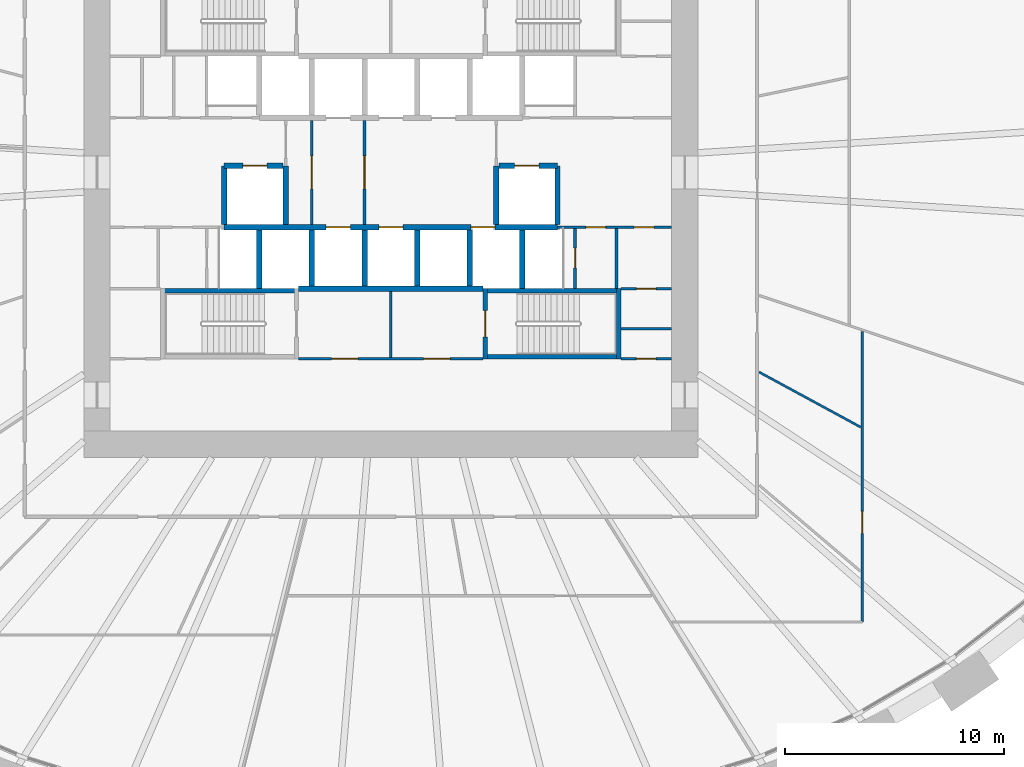
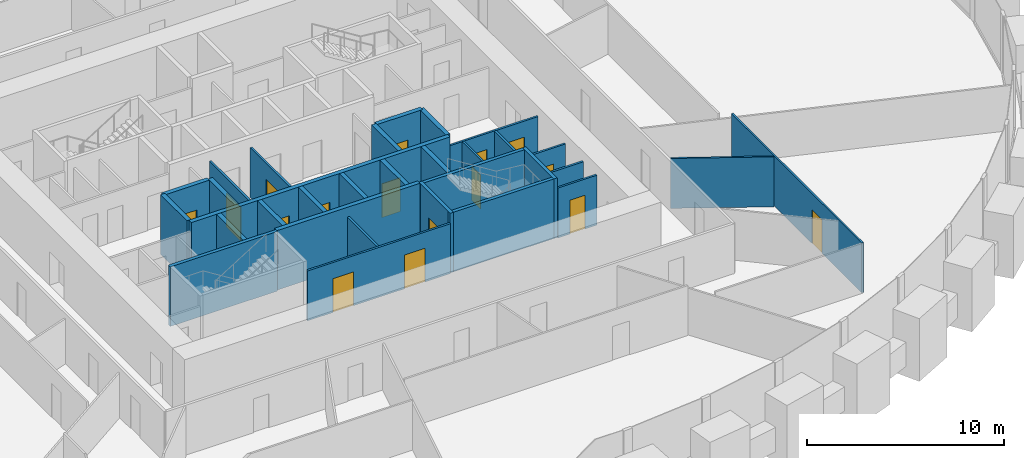
# One storey, part 7 of 11: 31 walls, 16 doors, 16 openings.
"""IFC4 building model written with IfcOpenShell, lengths in metres."""

from ifc_helpers import new_model, si_unit, direction, frame, frame_2d, origin, place, context, subcontext, project, spatial, rectangle, extrude, source, transform, mapped, material, layer, layer_set, type_object, element, fill, save


model = new_model("IFC4")

# Units and contexts
model_context = context("Model", 3, precision=1e-05, world=origin(), true_north=direction((0.0, 1.0)))
body_context = subcontext(model_context, "Body", "Model", "MODEL_VIEW")
ifc_project = project(units=[si_unit("LENGTHUNIT", "METRE"), si_unit("AREAUNIT", "SQUARE_METRE"), si_unit("VOLUMEUNIT", "CUBIC_METRE"), si_unit("PLANEANGLEUNIT", "RADIAN"), si_unit("MASSUNIT", "GRAM", prefix="KILO")], contexts=[model_context])

# Site, building, storey
site_placement = place(None, origin())
site = spatial("IfcSite", under=ifc_project, at=site_placement, CompositionType="ELEMENT")
building_placement = place(site_placement, origin())
building = spatial("IfcBuilding", under=site, at=building_placement, Name="Embergate Tower", CompositionType="ELEMENT")
storey_placement = place(building_placement, frame((0.0, 0.0, 41.89990234375)))
storey = spatial("IfcBuildingStorey", under=building, at=storey_placement, Name="L06", CompositionType="ELEMENT", Elevation=41.89990234375)

# Wall, opening, door
ifc_material_1 = material(Name="Core partition blockwork 120")
ifc_layer_1 = layer(ifc_material_1, 0.1201171875)
ifc_layer_set_1 = layer_set([ifc_layer_1], Name="Core partition blockwork 120")
wall_type_1 = type_object("IfcWallType", Name="Core partition blockwork 120", PredefinedType="PARTITIONING", material=ifc_layer_set_1)
shared_shape_1 = source(origin(), body_context, "Body", "SweptSolid", [
    extrude(rectangle(XDim=2.739990234375, YDim=0.1201171875, at=frame_2d((1.3701171875, 0.0))), origin(), (0.0, 0.0, 1.0), 3.10009765625),
])
wall_1_placement = place(storey_placement, frame((8.39990234375, -5.300048828125, 0.0), z_axis=(0.0, 0.0, 1.0), x_axis=(0.0, 1.0, 0.0)))
wall_1 = element("IfcWall", 1, at=wall_1_placement, inside=storey, type_object=wall_type_1, Name="IP-3 wall", PredefinedType="PARTITIONING", context=body_context, shape_type="MappedRepresentation", body=[
    mapped(shared_shape_1, transform((0.0, 0.0, 0.0))),
])
shared_shape_2 = source(origin(), body_context, "Body", "SweptSolid", [
    extrude(rectangle(XDim=0.89990234375, YDim=2.10009765625, at=frame_2d((0.449951171875, 1.050048828125))), frame((0.0, 0.070068359375, 0.0), z_axis=(0.0, -1.0, 0.0), x_axis=(1.0, 0.0, 0.0)), (0.0, 0.0, 1.0), 0.14013671875),
])
opening_1_placement = place(wall_1_placement, frame((0.949951171875, 0.0, 0.0)))
opening_1 = element("IfcOpeningElement", 2, at=opening_1_placement, cuts=wall_1, Name="Opening ID-1", PredefinedType="OPENING", context=body_context, shape_type="MappedRepresentation", body=[
    mapped(shared_shape_2, transform((0.0, 0.0, 0.0))),
])
ifc_material_2 = material(Name="Interior door 900")
door_type_1 = type_object("IfcDoorType", Name="Interior door 900", OperationType="SINGLE_SWING_LEFT", PredefinedType="DOOR", material=ifc_material_2)
shared_shape_3 = source(origin(), body_context, "Body", "SweptSolid", [
    extrude(rectangle(XDim=0.89990234375, YDim=2.10009765625, at=frame_2d((0.449951171875, 1.050048828125))), frame((0.0, 0.02490234375, 0.0), z_axis=(0.0, -1.0, 0.0), x_axis=(1.0, 0.0, 0.0)), (0.0, 0.0, 1.0), 0.050048828125),
])
door_1_placement = place(opening_1_placement, origin())
door_1 = element("IfcDoor", 3, at=door_1_placement, inside=storey, type_object=door_type_1, Name="ID-1 door", OperationType="SINGLE_SWING_RIGHT", OverallHeight=2.10009765625, OverallWidth=0.89990234375, PredefinedType="DOOR", context=body_context, shape_type="MappedRepresentation", body=[
    mapped(shared_shape_3, transform((0.0, 0.0, 0.0))),
])
fill(opening_1, door_1)

# Wall
wall_2_placement = place(storey_placement, frame((10.2919921875, -5.300048828125, 0.0), z_axis=(0.0, 0.0, 1.0), x_axis=(0.0, 1.0, 0.0)))
element("IfcWall", 4, at=wall_2_placement, inside=storey, type_object=wall_type_1, Name="IP-3 wall", PredefinedType="PARTITIONING", context=body_context, shape_type="MappedRepresentation", body=[
    mapped(shared_shape_1, transform((0.0, 0.0, 0.0))),
])

# Wall, openings, doors
shared_shape_4 = source(origin(), body_context, "Body", "SweptSolid", [
    extrude(rectangle(XDim=5.199951171875, YDim=0.1201171875, at=frame_2d((2.60009765625, 0.0))), origin(), (0.0, 0.0, 1.0), 3.10009765625),
])
wall_3_placement = place(storey_placement, frame((12.800048828125, -2.5, 0.0), z_axis=(0.0, 0.0, 1.0), x_axis=(-1.0, 0.0, 0.0)))
wall_3 = element("IfcWall", 5, at=wall_3_placement, inside=storey, type_object=wall_type_1, Name="IP-3 wall", PredefinedType="PARTITIONING", context=body_context, shape_type="MappedRepresentation", body=[
    mapped(shared_shape_4, transform((0.0, 0.0, 0.0))),
])
opening_2_placement = place(wall_3_placement, frame((3.00390625, 0.0, 0.0)))
opening_2 = element("IfcOpeningElement", 6, at=opening_2_placement, cuts=wall_3, Name="Opening ID-1", PredefinedType="OPENING", context=body_context, shape_type="MappedRepresentation", body=[
    mapped(shared_shape_2, transform((0.0, 0.0, 0.0))),
])
opening_3_placement = place(wall_3_placement, frame((0.803955078125, 0.0, 0.0)))
opening_3 = element("IfcOpeningElement", 7, at=opening_3_placement, cuts=wall_3, Name="Opening ID-1", PredefinedType="OPENING", context=body_context, shape_type="MappedRepresentation", body=[
    mapped(shared_shape_2, transform((0.0, 0.0, 0.0))),
])
door_2_placement = place(opening_2_placement, origin())
door_2 = element("IfcDoor", 8, at=door_2_placement, inside=storey, type_object=door_type_1, Name="ID-1 door", OperationType="SINGLE_SWING_RIGHT", OverallHeight=2.10009765625, OverallWidth=0.89990234375, PredefinedType="DOOR", context=body_context, shape_type="MappedRepresentation", body=[
    mapped(shared_shape_3, transform((0.0, 0.0, 0.0))),
])
fill(opening_2, door_2)
door_3_placement = place(opening_3_placement, origin())
door_3 = element("IfcDoor", 9, at=door_3_placement, inside=storey, type_object=door_type_1, Name="ID-1 door", OperationType="SINGLE_SWING_RIGHT", OverallHeight=2.10009765625, OverallWidth=0.89990234375, PredefinedType="DOOR", context=body_context, shape_type="MappedRepresentation", body=[
    mapped(shared_shape_3, transform((0.0, 0.0, 0.0))),
])
fill(opening_3, door_3)

# Wall, opening, door
shared_shape_5 = source(origin(), body_context, "Body", "SweptSolid", [
    extrude(rectangle(XDim=4.75, YDim=0.1201171875, at=frame_2d((2.375, 0.0))), origin(), (0.0, 0.0, 1.0), 3.10009765625),
])
wall_4_placement = place(storey_placement, frame((-3.60009765625, -2.375, 0.0), z_axis=(0.0, 0.0, 1.0), x_axis=(0.0, 1.0, 0.0)))
wall_4 = element("IfcWall", 10, at=wall_4_placement, inside=storey, type_object=wall_type_1, Name="IP-3 wall", PredefinedType="PARTITIONING", context=body_context, shape_type="MappedRepresentation", body=[
    mapped(shared_shape_5, transform((0.0, 0.0, 0.0))),
])
shared_shape_6 = source(origin(), body_context, "Body", "SweptSolid", [
    extrude(rectangle(XDim=1.5, YDim=2.10009765625, at=frame_2d((0.75, 1.050048828125))), frame((0.0, 0.070068359375, 0.0), z_axis=(0.0, -1.0, 0.0), x_axis=(1.0, 0.0, 0.0)), (0.0, 0.0, 1.0), 0.14013671875),
])
opening_4_placement = place(wall_4_placement, frame((1.625, 0.0, 0.0)))
opening_4 = element("IfcOpeningElement", 11, at=opening_4_placement, cuts=wall_4, Name="Opening IF-3", PredefinedType="OPENING", context=body_context, shape_type="MappedRepresentation", body=[
    mapped(shared_shape_6, transform((0.0, 0.0, 0.0))),
])
ifc_material_3 = material(Name="Lobby fire door pair 1500")
door_type_2 = type_object("IfcDoorType", Name="Lobby fire door pair 1500", OperationType="DOUBLE_DOOR_SINGLE_SWING", PredefinedType="DOOR", material=ifc_material_3)
shared_shape_7 = source(origin(), body_context, "Body", "SweptSolid", [
    extrude(rectangle(XDim=1.5, YDim=2.10009765625, at=frame_2d((0.75, 1.050048828125))), frame((0.0, 0.02490234375, 0.0), z_axis=(0.0, -1.0, 0.0), x_axis=(1.0, 0.0, 0.0)), (0.0, 0.0, 1.0), 0.050048828125),
])
door_4_placement = place(opening_4_placement, origin())
door_4 = element("IfcDoor", 12, at=door_4_placement, inside=storey, type_object=door_type_2, Name="IF-3 door", OperationType="DOUBLE_DOOR_SINGLE_SWING", OverallHeight=2.10009765625, OverallWidth=1.5, PredefinedType="DOOR", context=body_context, shape_type="MappedRepresentation", body=[
    mapped(shared_shape_7, transform((0.0, 0.0, 0.0))),
])
fill(opening_4, door_4)

wall_5_placement = place(storey_placement, frame((-1.199951171875, -2.375, 0.0), z_axis=(0.0, 0.0, 1.0), x_axis=(0.0, 1.0, 0.0)))
wall_5 = element("IfcWall", 13, at=wall_5_placement, inside=storey, type_object=wall_type_1, Name="IP-3 wall", PredefinedType="PARTITIONING", context=body_context, shape_type="MappedRepresentation", body=[
    mapped(shared_shape_5, transform((0.0, 0.0, 0.0))),
])
opening_5_placement = place(wall_5_placement, frame((1.625, 0.0, 0.0)))
opening_5 = element("IfcOpeningElement", 14, at=opening_5_placement, cuts=wall_5, Name="Opening IF-3", PredefinedType="OPENING", context=body_context, shape_type="MappedRepresentation", body=[
    mapped(shared_shape_6, transform((0.0, 0.0, 0.0))),
])
door_5_placement = place(opening_5_placement, origin())
door_5 = element("IfcDoor", 15, at=door_5_placement, inside=storey, type_object=door_type_2, Name="IF-3 door", OperationType="DOUBLE_DOOR_SINGLE_SWING", OverallHeight=2.10009765625, OverallWidth=1.5, PredefinedType="DOOR", context=body_context, shape_type="MappedRepresentation", body=[
    mapped(shared_shape_7, transform((0.0, 0.0, 0.0))),
])
fill(opening_5, door_5)

# Wall
shared_shape_8 = source(origin(), body_context, "Body", "SweptSolid", [
    extrude(rectangle(XDim=3.014892578125, YDim=0.1201171875, at=frame_2d((1.50732421875, 0.0))), origin(), (0.0, 0.0, 1.0), 3.10009765625),
])
wall_6_placement = place(storey_placement, frame((0.0, -8.43994140625, 0.0), z_axis=(0.0, 0.0, 1.0), x_axis=(0.0, 1.0, 0.0)))
element("IfcWall", 16, at=wall_6_placement, inside=storey, type_object=wall_type_1, Name="IP-3 wall", PredefinedType="PARTITIONING", context=body_context, shape_type="MappedRepresentation", body=[
    mapped(shared_shape_8, transform((0.0, 0.0, 0.0))),
])

# Wall, openings, doors
shared_shape_9 = source(origin(), body_context, "Body", "SweptSolid", [
    extrude(rectangle(XDim=8.39990234375, YDim=0.1201171875, at=frame_2d((4.199951171875, 0.0))), origin(), (0.0, 0.0, 1.0), 3.10009765625),
])
wall_7_placement = place(storey_placement, frame((-4.199951171875, -8.5, 0.0), z_axis=(0.0, 0.0, 1.0), x_axis=(1.0, 0.0, 0.0)))
wall_7 = element("IfcWall", 17, at=wall_7_placement, inside=storey, type_object=wall_type_1, Name="IP-3 wall", PredefinedType="PARTITIONING", context=body_context, shape_type="MappedRepresentation", body=[
    mapped(shared_shape_9, transform((0.0, 0.0, 0.0))),
])
shared_shape_10 = source(origin(), body_context, "Body", "SweptSolid", [
    extrude(rectangle(XDim=1.199951171875, YDim=2.10009765625, at=frame_2d((0.60009765625, 1.050048828125))), frame((0.0, 0.070068359375, 0.0), z_axis=(0.0, -1.0, 0.0), x_axis=(1.0, 0.0, 0.0)), (0.0, 0.0, 1.0), 0.14013671875),
])
opening_6_placement = place(wall_7_placement, frame((1.5, 0.0, 0.0)))
opening_6 = element("IfcOpeningElement", 18, at=opening_6_placement, cuts=wall_7, Name="Opening IF-3f", PredefinedType="OPENING", context=body_context, shape_type="MappedRepresentation", body=[
    mapped(shared_shape_10, transform((0.0, 0.0, 0.0))),
])
opening_7_placement = place(wall_7_placement, frame((5.699951171875, 0.0, 0.0)))
opening_7 = element("IfcOpeningElement", 19, at=opening_7_placement, cuts=wall_7, Name="Opening IF-3f", PredefinedType="OPENING", context=body_context, shape_type="MappedRepresentation", body=[
    mapped(shared_shape_10, transform((0.0, 0.0, 0.0))),
])
ifc_material_4 = material(Name="Lobby fire door pair 1200")
door_type_3 = type_object("IfcDoorType", Name="Lobby fire door pair 1200", OperationType="DOUBLE_DOOR_SINGLE_SWING", PredefinedType="DOOR", material=ifc_material_4)
shared_shape_11 = source(origin(), body_context, "Body", "SweptSolid", [
    extrude(rectangle(XDim=1.199951171875, YDim=2.10009765625, at=frame_2d((0.60009765625, 1.050048828125))), frame((0.0, 0.02490234375, 0.0), z_axis=(0.0, -1.0, 0.0), x_axis=(1.0, 0.0, 0.0)), (0.0, 0.0, 1.0), 0.050048828125),
])
door_6_placement = place(opening_6_placement, origin())
door_6 = element("IfcDoor", 20, at=door_6_placement, inside=storey, type_object=door_type_3, Name="IF-3 door", OperationType="DOUBLE_DOOR_SINGLE_SWING", OverallHeight=2.10009765625, OverallWidth=1.199951171875, PredefinedType="DOOR", context=body_context, shape_type="MappedRepresentation", body=[
    mapped(shared_shape_11, transform((0.0, 0.0, 0.0))),
])
fill(opening_6, door_6)
door_7_placement = place(opening_7_placement, origin())
door_7 = element("IfcDoor", 21, at=door_7_placement, inside=storey, type_object=door_type_3, Name="IF-3 door", OperationType="DOUBLE_DOOR_SINGLE_SWING", OverallHeight=2.10009765625, OverallWidth=1.199951171875, PredefinedType="DOOR", context=body_context, shape_type="MappedRepresentation", body=[
    mapped(shared_shape_11, transform((0.0, 0.0, 0.0))),
])
fill(opening_7, door_7)

# Wall, opening, door
shared_shape_12 = source(origin(), body_context, "Body", "SweptSolid", [
    extrude(rectangle(XDim=2.300048828125, YDim=0.1201171875, at=frame_2d((1.14990234375, 0.0))), origin(), (0.0, 0.0, 1.0), 3.10009765625),
])
wall_8_placement = place(storey_placement, frame((12.800048828125, -8.5, 0.0), z_axis=(0.0, 0.0, 1.0), x_axis=(-1.0, 0.0, 0.0)))
wall_8 = element("IfcWall", 22, at=wall_8_placement, inside=storey, type_object=wall_type_1, Name="IP-3 wall", PredefinedType="PARTITIONING", context=body_context, shape_type="MappedRepresentation", body=[
    mapped(shared_shape_12, transform((0.0, 0.0, 0.0))),
])
opening_8_placement = place(wall_8_placement, frame((0.699951171875, 0.0, 0.0)))
opening_8 = element("IfcOpeningElement", 23, at=opening_8_placement, cuts=wall_8, Name="Opening ID-1", PredefinedType="OPENING", context=body_context, shape_type="MappedRepresentation", body=[
    mapped(shared_shape_2, transform((0.0, 0.0, 0.0))),
])
door_8_placement = place(opening_8_placement, origin())
door_8 = element("IfcDoor", 24, at=door_8_placement, inside=storey, type_object=door_type_1, Name="ID-1 door", OperationType="SINGLE_SWING_RIGHT", OverallHeight=2.10009765625, OverallWidth=0.89990234375, PredefinedType="DOOR", context=body_context, shape_type="MappedRepresentation", body=[
    mapped(shared_shape_3, transform((0.0, 0.0, 0.0))),
])
fill(opening_8, door_8)

wall_9_placement = place(storey_placement, frame((10.5, -5.300048828125, 0.0), z_axis=(0.0, 0.0, 1.0), x_axis=(1.0, 0.0, 0.0)))
wall_9 = element("IfcWall", 25, at=wall_9_placement, inside=storey, type_object=wall_type_1, Name="IP-3 wall", PredefinedType="PARTITIONING", context=body_context, shape_type="MappedRepresentation", body=[
    mapped(shared_shape_12, transform((0.0, 0.0, 0.0))),
])
opening_9_placement = place(wall_9_placement, frame((0.699951171875, 0.0, 0.0)))
opening_9 = element("IfcOpeningElement", 26, at=opening_9_placement, cuts=wall_9, Name="Opening ID-1", PredefinedType="OPENING", context=body_context, shape_type="MappedRepresentation", body=[
    mapped(shared_shape_2, transform((0.0, 0.0, 0.0))),
])
door_9_placement = place(opening_9_placement, origin())
door_9 = element("IfcDoor", 27, at=door_9_placement, inside=storey, type_object=door_type_1, Name="ID-1 door", OperationType="SINGLE_SWING_LEFT", OverallHeight=2.10009765625, OverallWidth=0.89990234375, PredefinedType="DOOR", context=body_context, shape_type="MappedRepresentation", body=[
    mapped(shared_shape_3, transform((0.0, 0.0, 0.0))),
])
fill(opening_9, door_9)

# Wall
wall_10_placement = place(storey_placement, frame((12.800048828125, -7.1240234375, 0.0), z_axis=(0.0, 0.0, 1.0), x_axis=(-1.0, 0.0, 0.0)))
element("IfcWall", 28, at=wall_10_placement, inside=storey, type_object=wall_type_1, Name="IP-3 wall", PredefinedType="PARTITIONING", context=body_context, shape_type="MappedRepresentation", body=[
    mapped(shared_shape_12, transform((0.0, 0.0, 0.0))),
])

# Wall, opening, door
ifc_material_5 = material(Name="Partition dry-lined 100")
ifc_layer_2 = layer(ifc_material_5, 0.10009765625)
ifc_layer_set_2 = layer_set([ifc_layer_2], Name="Partition dry-lined 100")
wall_type_2 = type_object("IfcWallType", Name="Partition dry-lined 100", PredefinedType="PARTITIONING", material=ifc_layer_set_2)
shared_shape_13 = source(origin(), body_context, "Body", "SweptSolid", [
    extrude(rectangle(XDim=13.2470703125, YDim=0.10009765625, at=frame_2d((6.62353515625, 0.0))), origin(), (0.0, 0.0, 1.0), 3.10009765625),
])
wall_11_placement = place(storey_placement, frame((21.5, -7.2529296875, 0.0), z_axis=(0.0, 0.0, 1.0), x_axis=(0.0, -1.0, 0.0)))
wall_11 = element("IfcWall", 29, at=wall_11_placement, inside=storey, type_object=wall_type_2, Name="IP-1 wall", PredefinedType="PARTITIONING", context=body_context, shape_type="MappedRepresentation", body=[
    mapped(shared_shape_13, transform((0.0, 0.0, 0.0))),
])
shared_shape_14 = source(origin(), body_context, "Body", "SweptSolid", [
    extrude(rectangle(XDim=1.0, YDim=2.10009765625, at=frame_2d((0.5, 1.050048828125))), frame((0.0, 0.06005859375, 0.0), z_axis=(0.0, -1.0, 0.0), x_axis=(1.0, 0.0, 0.0)), (0.0, 0.0, 1.0), 0.1201171875),
])
opening_10_placement = place(wall_11_placement, frame((8.204833984375, 0.0, 0.0)))
opening_10 = element("IfcOpeningElement", 30, at=opening_10_placement, cuts=wall_11, Name="Opening ID-2", PredefinedType="OPENING", context=body_context, shape_type="MappedRepresentation", body=[
    mapped(shared_shape_14, transform((0.0, 0.0, 0.0))),
])
ifc_material_6 = material(Name="Interior door 1000")
door_type_4 = type_object("IfcDoorType", Name="Interior door 1000", OperationType="SINGLE_SWING_LEFT", PredefinedType="DOOR", material=ifc_material_6)
shared_shape_15 = source(origin(), body_context, "Body", "SweptSolid", [
    extrude(rectangle(XDim=1.0, YDim=2.10009765625, at=frame_2d((0.5, 1.050048828125))), frame((0.0, 0.02490234375, 0.0), z_axis=(0.0, -1.0, 0.0), x_axis=(1.0, 0.0, 0.0)), (0.0, 0.0, 1.0), 0.050048828125),
])
door_10_placement = place(opening_10_placement, origin())
door_10 = element("IfcDoor", 31, at=door_10_placement, inside=storey, type_object=door_type_4, Name="ID-2 door", OperationType="SINGLE_SWING_LEFT", OverallHeight=2.10009765625, OverallWidth=1.0, PredefinedType="DOOR", context=body_context, shape_type="MappedRepresentation", body=[
    mapped(shared_shape_15, transform((0.0, 0.0, 0.0))),
])
fill(opening_10, door_10)

# Walls
shared_shape_16 = source(origin(), body_context, "Body", "SweptSolid", [
    extrude(rectangle(XDim=5.263427734375, YDim=0.10009765625, at=frame_2d((2.6318359375, 0.0))), origin(), (0.0, 0.0, 1.0), 3.10009765625),
])
wall_12_placement = place(storey_placement, frame((16.799072265625, -9.10693359375, 0.0), z_axis=(0.0, 0.0, 1.0), x_axis=(0.87907171928, -0.476689534563, 0.0)))
element("IfcWall", 32, at=wall_12_placement, inside=storey, type_object=wall_type_2, Name="IP-1 wall", PredefinedType="PARTITIONING", context=body_context, shape_type="MappedRepresentation", body=[
    mapped(shared_shape_16, transform((0.0, 0.0, 0.0))),
])
ifc_material_7 = material(Name="Concrete C50", Category="concrete")
ifc_layer_3 = layer(ifc_material_7, 0.25)
ifc_layer_set_3 = layer_set([ifc_layer_3], Name="Concrete C50")
wall_type_3 = type_object("IfcWallType", Name="Hoistway wall reinforced concrete 250", PredefinedType="SHEAR", material=ifc_layer_set_3)
shared_shape_17 = source(origin(), body_context, "Body", "SweptSolid", [
    extrude(rectangle(XDim=2.675048828125, YDim=0.25, at=frame_2d((1.33740234375, 0.0))), origin(), (0.0, 0.0, 1.0), 3.7001953125),
])
for number, where, z_axis, x_axis, name in (
    (33, (-6.0, -5.300048828125, 0.0), (0.0, 0.0, 1.0), (0.0, 1.0, 0.0), "HW-1 wall"),
    (34, (6.0, -5.300048828125, 0.0), (0.0, 0.0, 1.0), (0.0, 1.0, 0.0), "HW-1 wall"),
    (35, (-4.800048828125, 0.300048828125, 0.0), (0.0, 0.0, 1.0), (0.0, -1.0, 0.0), "HW-1 wall"),
    (36, (4.800048828125, -2.375, 0.0), (0.0, 0.0, 1.0), (0.0, 1.0, 0.0), "HW-1 wall"),
):
    element("IfcWall", number, at=place(storey_placement, frame(where, z_axis=z_axis, x_axis=x_axis)), inside=storey, type_object=wall_type_3, Name=name, PredefinedType="SHEAR", context=body_context, shape_type="MappedRepresentation", body=[
        mapped(shared_shape_17, transform((0.0, 0.0, 0.0))),
    ])

# Wall, opening, door
wall_13_placement = place(storey_placement, frame((-4.925048828125, 0.300048828125, 0.0), z_axis=(0.0, 0.0, 1.0), x_axis=(-1.0, 0.0, 0.0)))
wall_13 = element("IfcWall", 37, at=wall_13_placement, inside=storey, type_object=wall_type_3, Name="HW-1 wall", PredefinedType="SHEAR", context=body_context, shape_type="MappedRepresentation", body=[
    mapped(shared_shape_17, transform((0.0, 0.0, 0.0))),
])
shared_shape_18 = source(origin(), body_context, "Body", "SweptSolid", [
    extrude(rectangle(XDim=1.10009765625, YDim=2.10009765625, at=frame_2d((0.550048828125, 1.050048828125))), frame((0.0, 0.135009765625, 0.0), z_axis=(0.0, -1.0, 0.0), x_axis=(1.0, 0.0, 0.0)), (0.0, 0.0, 1.0), 0.27001953125),
])
opening_11_placement = place(wall_13_placement, frame((0.72509765625, 0.0, 0.0)))
opening_11 = element("IfcOpeningElement", 38, at=opening_11_placement, cuts=wall_13, Name="Opening LD", PredefinedType="OPENING", context=body_context, shape_type="MappedRepresentation", body=[
    mapped(shared_shape_18, transform((0.0, 0.0, 0.0))),
])
ifc_material_8 = material(Name="Landing door sliding 1100")
door_type_5 = type_object("IfcDoorType", Name="Landing door sliding 1100", OperationType="SLIDING_TO_LEFT", PredefinedType="DOOR", material=ifc_material_8)
shared_shape_19 = source(origin(), body_context, "Body", "SweptSolid", [
    extrude(rectangle(XDim=1.10009765625, YDim=2.10009765625, at=frame_2d((0.550048828125, 1.050048828125))), frame((0.0, 0.02490234375, 0.0), z_axis=(0.0, -1.0, 0.0), x_axis=(1.0, 0.0, 0.0)), (0.0, 0.0, 1.0), 0.050048828125),
])
door_11_placement = place(opening_11_placement, origin())
door_11 = element("IfcDoor", 39, at=door_11_placement, inside=storey, type_object=door_type_5, Name="LD door", OperationType="SLIDING_TO_RIGHT", OverallHeight=2.10009765625, OverallWidth=1.10009765625, PredefinedType="DOOR", context=body_context, shape_type="MappedRepresentation", body=[
    mapped(shared_shape_19, transform((0.0, 0.0, 0.0))),
])
fill(opening_11, door_11)

# Wall
wall_14_placement = place(storey_placement, frame((-7.60009765625, 0.300048828125, 0.0), z_axis=(0.0, 0.0, 1.0), x_axis=(0.0, -1.0, 0.0)))
element("IfcWall", 40, at=wall_14_placement, inside=storey, type_object=wall_type_3, Name="HW-1 wall", PredefinedType="SHEAR", context=body_context, shape_type="MappedRepresentation", body=[
    mapped(shared_shape_17, transform((0.0, 0.0, 0.0))),
])

# Wall, opening, door
wall_15_placement = place(storey_placement, frame((7.60009765625, 0.300048828125, 0.0), z_axis=(0.0, 0.0, 1.0), x_axis=(-1.0, 0.0, 0.0)))
wall_15 = element("IfcWall", 41, at=wall_15_placement, inside=storey, type_object=wall_type_3, Name="HW-1 wall", PredefinedType="SHEAR", context=body_context, shape_type="MappedRepresentation", body=[
    mapped(shared_shape_17, transform((0.0, 0.0, 0.0))),
])
opening_12_placement = place(wall_15_placement, frame((0.85009765625, 0.0, 0.0)))
opening_12 = element("IfcOpeningElement", 42, at=opening_12_placement, cuts=wall_15, Name="Opening LD", PredefinedType="OPENING", context=body_context, shape_type="MappedRepresentation", body=[
    mapped(shared_shape_18, transform((0.0, 0.0, 0.0))),
])
door_12_placement = place(opening_12_placement, origin())
door_12 = element("IfcDoor", 43, at=door_12_placement, inside=storey, type_object=door_type_5, Name="LD door", OperationType="SLIDING_TO_RIGHT", OverallHeight=2.10009765625, OverallWidth=1.10009765625, PredefinedType="DOOR", context=body_context, shape_type="MappedRepresentation", body=[
    mapped(shared_shape_19, transform((0.0, 0.0, 0.0))),
])
fill(opening_12, door_12)

# Walls
wall_16_placement = place(storey_placement, frame((7.60009765625, -2.375, 0.0), z_axis=(0.0, 0.0, 1.0), x_axis=(0.0, 1.0, 0.0)))
element("IfcWall", 44, at=wall_16_placement, inside=storey, type_object=wall_type_3, Name="HW-1 wall", PredefinedType="SHEAR", context=body_context, shape_type="MappedRepresentation", body=[
    mapped(shared_shape_17, transform((0.0, 0.0, 0.0))),
])
ifc_layer_4 = layer(ifc_material_7, 0.199951171875)
ifc_layer_set_4 = layer_set([ifc_layer_4], Name="Concrete C50")
wall_type_4 = type_object("IfcWallType", Name="Stair enclosure wall reinforced concrete 250", PredefinedType="SHEAR", material=ifc_layer_set_4)
shared_shape_20 = source(origin(), body_context, "Body", "SweptSolid", [
    extrude(rectangle(XDim=6.300048828125, YDim=0.199951171875, at=frame_2d((3.14990234375, 0.0))), origin(), (0.0, 0.0, 1.0), 3.7001953125),
])
for number, where, z_axis, x_axis, name in (
    (45, (-10.5, -5.39990234375, 0.0), (0.0, 0.0, 1.0), (1.0, 0.0, 0.0), "SE-1 wall"),
    (46, (4.199951171875, -5.39990234375, 0.0), (0.0, 0.0, 1.0), (1.0, 0.0, 0.0), "SE-1 wall"),
    (47, (4.199951171875, -8.39990234375, 0.0), (0.0, 0.0, 1.0), (1.0, 0.0, 0.0), "SE-1 wall"),
):
    element("IfcWall", number, at=place(storey_placement, frame(where, z_axis=z_axis, x_axis=x_axis)), inside=storey, type_object=wall_type_4, Name=name, PredefinedType="SHEAR", context=body_context, shape_type="MappedRepresentation", body=[
        mapped(shared_shape_20, transform((0.0, 0.0, 0.0))),
    ])
shared_shape_21 = source(origin(), body_context, "Body", "SweptSolid", [
    extrude(rectangle(XDim=2.550048828125, YDim=0.25, at=frame_2d((1.27490234375, 0.0))), origin(), (0.0, 0.0, 1.0), 3.7001953125),
])
for number, where, z_axis, x_axis, name in (
    (48, (-3.60009765625, -5.175048828125, 0.0), (0.0, 0.0, 1.0), (0.0, 1.0, 0.0), "HW-1 wall"),
    (49, (-1.199951171875, -5.175048828125, 0.0), (0.0, 0.0, 1.0), (0.0, 1.0, 0.0), "HW-1 wall"),
    (50, (1.199951171875, -5.175048828125, 0.0), (0.0, 0.0, 1.0), (0.0, 1.0, 0.0), "HW-1 wall"),
    (51, (3.60009765625, -5.175048828125, 0.0), (0.0, 0.0, 1.0), (0.0, 1.0, 0.0), "HW-1 wall"),
):
    element("IfcWall", number, at=place(storey_placement, frame(where, z_axis=z_axis, x_axis=x_axis)), inside=storey, type_object=wall_type_3, Name=name, PredefinedType="SHEAR", context=body_context, shape_type="MappedRepresentation", body=[
        mapped(shared_shape_21, transform((0.0, 0.0, 0.0))),
    ])
shared_shape_22 = source(origin(), body_context, "Body", "SweptSolid", [
    extrude(rectangle(XDim=8.39990234375, YDim=0.25, at=frame_2d((4.199951171875, 0.0))), origin(), (0.0, 0.0, 1.0), 3.7001953125),
])
wall_17_placement = place(storey_placement, frame((-4.199951171875, -5.300048828125, 0.0), z_axis=(0.0, 0.0, 1.0), x_axis=(1.0, 0.0, 0.0)))
element("IfcWall", 52, at=wall_17_placement, inside=storey, type_object=wall_type_3, Name="HW-1 wall", PredefinedType="SHEAR", context=body_context, shape_type="MappedRepresentation", body=[
    mapped(shared_shape_22, transform((0.0, 0.0, 0.0))),
])

# Wall, openings, doors
shared_shape_23 = source(origin(), body_context, "Body", "SweptSolid", [
    extrude(rectangle(XDim=15.2001953125, YDim=0.25, at=frame_2d((7.60009765625, 0.0))), origin(), (0.0, 0.0, 1.0), 3.7001953125),
])
wall_18_placement = place(storey_placement, frame((7.60009765625, -2.5, 0.0), z_axis=(0.0, 0.0, 1.0), x_axis=(-1.0, 0.0, 0.0)))
wall_18 = element("IfcWall", 53, at=wall_18_placement, inside=storey, type_object=wall_type_3, Name="HW-1 wall", PredefinedType="SHEAR", context=body_context, shape_type="MappedRepresentation", body=[
    mapped(shared_shape_23, transform((0.0, 0.0, 0.0))),
])
opening_13_placement = place(wall_18_placement, frame((9.449951171875, 0.0, 0.0)))
opening_13 = element("IfcOpeningElement", 54, at=opening_13_placement, cuts=wall_18, Name="Opening LD", PredefinedType="OPENING", context=body_context, shape_type="MappedRepresentation", body=[
    mapped(shared_shape_18, transform((0.0, 0.0, 0.0))),
])
opening_14_placement = place(wall_18_placement, frame((7.050048828125, 0.0, 0.0)))
opening_14 = element("IfcOpeningElement", 55, at=opening_14_placement, cuts=wall_18, Name="Opening LD", PredefinedType="OPENING", context=body_context, shape_type="MappedRepresentation", body=[
    mapped(shared_shape_18, transform((0.0, 0.0, 0.0))),
])
opening_15_placement = place(wall_18_placement, frame((2.85009765625, 0.0, 0.0)))
opening_15 = element("IfcOpeningElement", 56, at=opening_15_placement, cuts=wall_18, Name="Opening LD", PredefinedType="OPENING", context=body_context, shape_type="MappedRepresentation", body=[
    mapped(shared_shape_18, transform((0.0, 0.0, 0.0))),
])
door_13_placement = place(opening_13_placement, origin())
door_13 = element("IfcDoor", 57, at=door_13_placement, inside=storey, type_object=door_type_5, Name="LD door", OperationType="SLIDING_TO_LEFT", OverallHeight=2.10009765625, OverallWidth=1.10009765625, PredefinedType="DOOR", context=body_context, shape_type="MappedRepresentation", body=[
    mapped(shared_shape_19, transform((0.0, 0.0, 0.0))),
])
fill(opening_13, door_13)
door_14_placement = place(opening_14_placement, origin())
door_14 = element("IfcDoor", 58, at=door_14_placement, inside=storey, type_object=door_type_5, Name="LD door", OperationType="SLIDING_TO_LEFT", OverallHeight=2.10009765625, OverallWidth=1.10009765625, PredefinedType="DOOR", context=body_context, shape_type="MappedRepresentation", body=[
    mapped(shared_shape_19, transform((0.0, 0.0, 0.0))),
])
fill(opening_14, door_14)
door_15_placement = place(opening_15_placement, origin())
door_15 = element("IfcDoor", 59, at=door_15_placement, inside=storey, type_object=door_type_5, Name="LD door", OperationType="SLIDING_TO_LEFT", OverallHeight=2.10009765625, OverallWidth=1.10009765625, PredefinedType="DOOR", context=body_context, shape_type="MappedRepresentation", body=[
    mapped(shared_shape_19, transform((0.0, 0.0, 0.0))),
])
fill(opening_15, door_15)

# Wall, opening, door
shared_shape_24 = source(origin(), body_context, "Body", "SweptSolid", [
    extrude(rectangle(XDim=3.199951171875, YDim=0.199951171875, at=frame_2d((1.60009765625, 0.0))), origin(), (0.0, 0.0, 1.0), 3.7001953125),
])
wall_19_placement = place(storey_placement, frame((4.300048828125, -5.300048828125, 0.0), z_axis=(0.0, 0.0, 1.0), x_axis=(0.0, -1.0, 0.0)))
wall_19 = element("IfcWall", 60, at=wall_19_placement, inside=storey, type_object=wall_type_4, Name="SE-1 wall", PredefinedType="SHEAR", context=body_context, shape_type="MappedRepresentation", body=[
    mapped(shared_shape_24, transform((0.0, 0.0, 0.0))),
])
shared_shape_25 = source(origin(), body_context, "Body", "SweptSolid", [
    extrude(rectangle(XDim=1.199951171875, YDim=2.10009765625, at=frame_2d((0.60009765625, 1.050048828125))), frame((0.0, 0.10986328125, 0.0), z_axis=(0.0, -1.0, 0.0), x_axis=(1.0, 0.0, 0.0)), (0.0, 0.0, 1.0), 0.219970703125),
])
opening_16_placement = place(wall_19_placement, frame((1.0, 0.0, 0.0)))
opening_16 = element("IfcOpeningElement", 61, at=opening_16_placement, cuts=wall_19, Name="Opening IF-2", PredefinedType="OPENING", context=body_context, shape_type="MappedRepresentation", body=[
    mapped(shared_shape_25, transform((0.0, 0.0, 0.0))),
])
ifc_material_9 = material(Name="Stair enclosure door 1200")
door_type_6 = type_object("IfcDoorType", Name="Stair enclosure door 1200", OperationType="SINGLE_SWING_LEFT", PredefinedType="DOOR", material=ifc_material_9)
door_16_placement = place(opening_16_placement, origin())
door_16 = element("IfcDoor", 62, at=door_16_placement, inside=storey, type_object=door_type_6, Name="IF-2 door", OperationType="SINGLE_SWING_RIGHT", OverallHeight=2.10009765625, OverallWidth=1.199951171875, PredefinedType="DOOR", context=body_context, shape_type="MappedRepresentation", body=[
    mapped(shared_shape_11, transform((0.0, 0.0, 0.0))),
])
fill(opening_16, door_16)

# Wall
wall_20_placement = place(storey_placement, frame((10.39990234375, -8.5, 0.0), z_axis=(0.0, 0.0, 1.0), x_axis=(0.0, 1.0, 0.0)))
element("IfcWall", 63, at=wall_20_placement, inside=storey, type_object=wall_type_4, Name="SE-1 wall", PredefinedType="SHEAR", context=body_context, shape_type="MappedRepresentation", body=[
    mapped(shared_shape_24, transform((0.0, 0.0, 0.0))),
])

save(model, "model.ifc")
